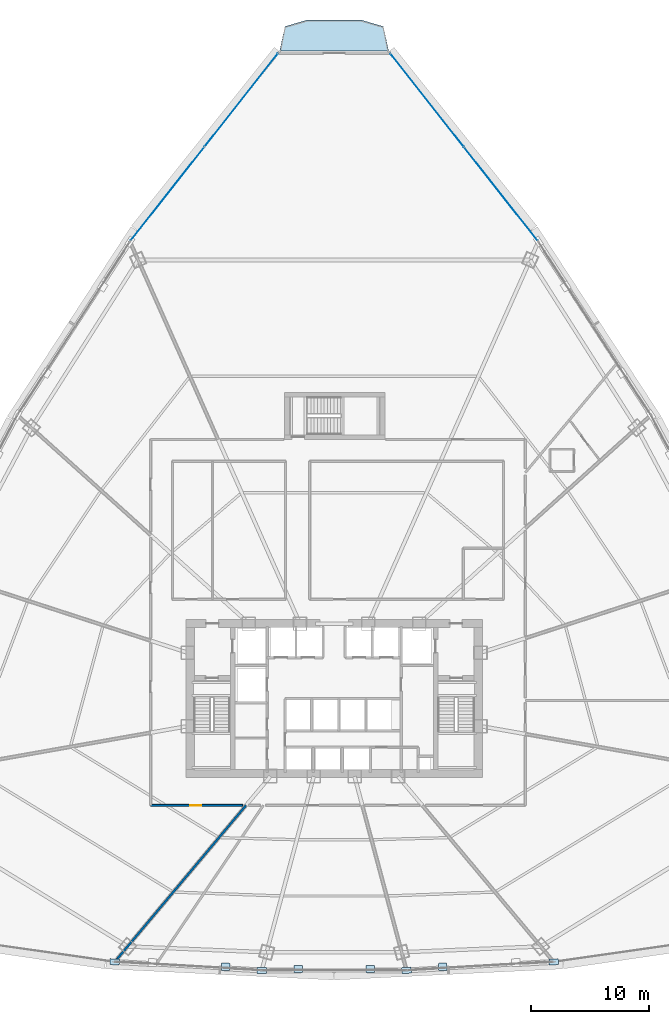
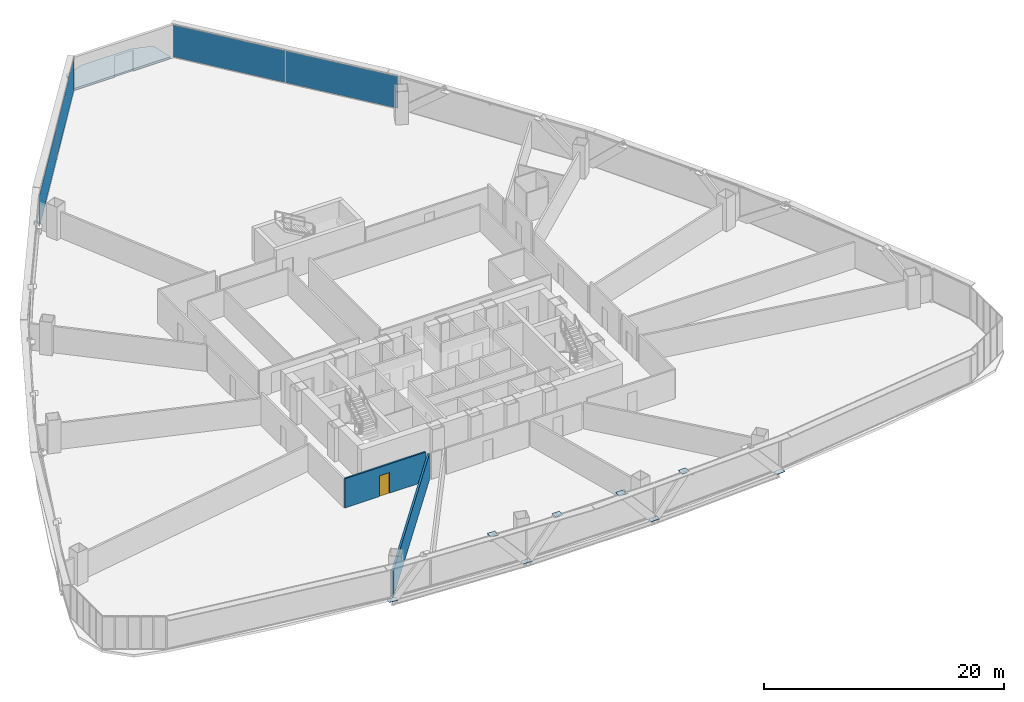
# One storey, part 34 of 42: 12 plates, 2 walls, 1 door, 1 slab, 1 opening, 2 elements without a shape of their own.
"""IFC4 building model written with IfcOpenShell, lengths in metres."""

from ifc_helpers import new_model, si_unit, direction, frame, frame_2d, origin, origin_with_axes, origin_2d, place, context, subcontext, project, spatial, polyline, rectangle, outline, extrude, source, transform, mapped, material, layer, layer_set, type_object, element, fill, aggregate, save


model = new_model("IFC4")

# Units and contexts
model_context = context("Model", 3, precision=1e-05, world=origin(), true_north=direction((0.0, 1.0)))
body_context = subcontext(model_context, "Body", "Model", "MODEL_VIEW")
ifc_project = project(units=[si_unit("LENGTHUNIT", "METRE"), si_unit("AREAUNIT", "SQUARE_METRE"), si_unit("VOLUMEUNIT", "CUBIC_METRE"), si_unit("PLANEANGLEUNIT", "RADIAN"), si_unit("MASSUNIT", "GRAM", prefix="KILO"), si_unit("THERMODYNAMICTEMPERATUREUNIT", "KELVIN"), si_unit("POWERUNIT", "WATT")], contexts=[model_context])

# Site, building, storey
site_placement = place(None, origin())
site = spatial("IfcSite", under=ifc_project, at=site_placement, CompositionType="ELEMENT")
building_placement = place(site_placement, origin())
building = spatial("IfcBuilding", under=site, at=building_placement, Name="Yunzhuo Pagoda Commons", CompositionType="ELEMENT")
storey_placement = place(building_placement, frame((0.0, 0.0, 48.550048828125)))
storey = spatial("IfcBuildingStorey", under=building, at=storey_placement, Name="L12", CompositionType="ELEMENT", Elevation=48.550048828125)

# Slab
ifc_material_1 = material(Name="Concrete C40", Category="concrete")
ifc_layer_1 = layer(ifc_material_1, 0.199951171875)
ifc_layer_set_1 = layer_set([ifc_layer_1], Name="Concrete C40")
slab_type = type_object("IfcSlabType", Name="SL-BAL Vertex Balcony Deck Slab 200", PredefinedType="FLOOR", material=ifc_layer_set_1)
slab_placement = place(storey_placement, frame((0.0, 0.0, -0.199951171875)))
element("IfcSlab", 1, at=slab_placement, inside=storey, type_object=slab_type, Name="L12 corner balcony V3", PredefinedType="FLOOR", context=body_context, shape_type="SweptSolid", body=[
    extrude(outline(polyline([(52.623291015625, 88.70068359375), (43.376708984375, 88.70068359375), (43.82666015625, 90.795654296875), (45.688232421875, 91.345703125), (50.311767578125, 91.345703125), (52.17333984375, 90.795654296875), (52.623291015625, 88.70068359375)])), origin(), (0.0, 0.0, 1.0), 0.199951171875),
])

# Plates
ifc_material_2 = material(Name="Structural steel Q355B", Category="steel")
ifc_layer_2 = layer(ifc_material_2, 0.028076171875)
ifc_layer_set_2 = layer_set([ifc_layer_2], Name="Structural steel Q355B")
plate_type_1 = type_object("IfcPlateType", Name="SP-ND1 Lattice Node Cap Plate 800x500x28", PredefinedType="USERDEFINED", material=ifc_layer_set_2)
shared_shape_1 = source(origin(), body_context, "Body", "SweptSolid", [
    extrude(rectangle(XDim=0.800048828125, YDim=0.5, at=origin_2d()), origin(), (0.0, 0.0, 1.0), 0.028076171875),
])
for number, where, z_axis, x_axis, name in (
    (2, (29.399658203125, 11.532958984375, -0.27392578125), (0.0, 0.0, 1.0), (0.998328730053, -0.057790542049, 0.0), "L12 diamond node plate F1.1A"),
    (3, (41.866943359375, 10.811279296875, -0.27392578125), (0.0, 0.0, 1.0), (1.0, 0.0, 0.0), "L12 diamond node plate F1.2A"),
    (4, (54.133056640625, 10.811279296875, -0.27392578125), (0.0, 0.0, 1.0), (0.998328730053, 0.057790542049, 0.0), "L12 diamond node plate F1.3A"),
    (5, (66.600341796875, 11.532958984375, -0.27392578125), (0.0, 0.0, 1.0), (0.998328730053, 0.057790542049, 0.0), "L12 diamond node plate F1.3B"),
):
    element("IfcPlate", number, at=place(storey_placement, frame(where, z_axis=z_axis, x_axis=x_axis)), inside=storey, type_object=plate_type_1, Name=name, ObjectType="STIFFENER_PLATE", PredefinedType="USERDEFINED", context=body_context, shape_type="MappedRepresentation", body=[
        mapped(shared_shape_1, transform((0.0, 0.0, 0.0), scale=1.0)),
    ])
shared_shape_2 = source(origin(), body_context, "Body", "SweptSolid", [
    extrude(rectangle(XDim=0.699951171875, YDim=0.631591796875, at=origin_2d()), origin(), (0.0, 0.0, 1.0), 0.035888671875),
])
for number, where, z_axis, x_axis, name in (
    (6, (38.80322265625, 11.1220703125, 3.33203125), (0.0, 0.0, 1.0), (0.998328730053, -0.057790542049, 0.0), "L12 setback lattice tie plate F1.1R"),
    (7, (57.19677734375, 11.1220703125, 3.33203125), (0.0, 0.0, 1.0), (0.998328730053, 0.057790542049, 0.0), "L12 setback lattice tie plate F1.3L"),
):
    element("IfcPlate", number, at=place(storey_placement, frame(where, z_axis=z_axis, x_axis=x_axis)), inside=storey, type_object=plate_type_1, Name=name, ObjectType="STIFFENER_PLATE", PredefinedType="USERDEFINED", context=body_context, shape_type="MappedRepresentation", body=[
        mapped(shared_shape_2, transform((0.0, 0.0, 0.0), scale=1.0)),
    ])
shared_shape_3 = source(origin(), body_context, "Body", "SweptSolid", [
    extrude(rectangle(XDim=0.699951171875, YDim=0.615478515625, at=origin_2d()), origin(), (0.0, 0.0, 1.0), 0.035888671875),
])
for number, where, z_axis, x_axis, name in (
    (8, (44.951171875, 10.94287109375, 3.33203125), (0.0, 0.0, 1.0), (1.0, 0.0, 0.0), "L12 setback lattice tie plate F1.2L"),
    (9, (51.048828125, 10.94287109375, 3.33203125), (0.0, 0.0, 1.0), (1.0, 0.0, 0.0), "L12 setback lattice tie plate F1.2R"),
):
    element("IfcPlate", number, at=place(storey_placement, frame(where, z_axis=z_axis, x_axis=x_axis)), inside=storey, type_object=plate_type_1, Name=name, ObjectType="STIFFENER_PLATE", PredefinedType="USERDEFINED", context=body_context, shape_type="MappedRepresentation", body=[
        mapped(shared_shape_3, transform((0.0, 0.0, 0.0), scale=1.0)),
    ])

# Curtain wall, plates
ifc_material_3 = material(Name="Anodized aluminium 6063-T6", Category="aluminium")
ifc_layer_3 = layer(ifc_material_3, 0.1650390625)
ifc_layer_set_3 = layer_set([ifc_layer_3], Name="Anodized aluminium 6063-T6")
curtain_wall_type = type_object("IfcCurtainWallType", Name="CW-LOW Low-Zone Ribbon Curtain Wall", PredefinedType="NOTDEFINED", material=ifc_layer_set_3)
curtain_wall_1_placement = place(storey_placement, origin())
curtain_wall_1 = element("IfcCurtainWall", 10, at=curtain_wall_1_placement, inside=storey, type_object=curtain_wall_type, Name="L12 curtain wall CW-L12-F2B5", PredefinedType="NOTDEFINED")
ifc_material_4 = material(Name="Tempered low-e double glazing", Category="glass")
ifc_layer_4 = layer(ifc_material_4, 0.028076171875)
ifc_layer_set_4 = layer_set([ifc_layer_4], Name="Tempered low-e double glazing")
plate_type_2 = type_object("IfcPlateType", Name="CW-LOW-P Low-E Double Glazing 28", PredefinedType="CURTAIN_PANEL", material=ifc_layer_set_4)
shared_shape_4 = source(origin(), body_context, "Body", "SweptSolid", [
    extrude(rectangle(XDim=10.042724609375, YDim=0.028076171875, at=origin_2d()), origin(), (0.0, 0.0, 1.0), 3.25),
])
plate_1_placement = place(storey_placement, frame((62.11376953125, 76.625, 0.06005859375), z_axis=(0.0, 0.0, 1.0), x_axis=(-0.61837518468, 0.785883026265, 0.0)))
plate_1 = element("IfcPlate", 11, at=plate_1_placement, type_object=plate_type_2, Name="CW panel 1.1", PredefinedType="CURTAIN_PANEL", context=body_context, shape_type="MappedRepresentation", body=[
    mapped(shared_shape_4, transform((0.0, 0.0, 0.0), scale=1.0)),
])
plate_2_placement = place(storey_placement, frame((55.863525390625, 84.568359375, 0.06005859375), z_axis=(0.0, 0.0, 1.0), x_axis=(-0.61837518468, 0.785883026265, 0.0)))
plate_2 = element("IfcPlate", 12, at=plate_2_placement, type_object=plate_type_2, Name="CW panel 2.1", PredefinedType="CURTAIN_PANEL", context=body_context, shape_type="MappedRepresentation", body=[
    mapped(shared_shape_4, transform((0.0, 0.0, 0.0), scale=1.0)),
])
aggregate(curtain_wall_1, [plate_1, plate_2])

curtain_wall_2_placement = place(storey_placement, origin())
curtain_wall_2 = element("IfcCurtainWall", 13, at=curtain_wall_2_placement, inside=storey, type_object=curtain_wall_type, Name="L12 curtain wall CW-L12-F3B1", PredefinedType="NOTDEFINED")
plate_3_placement = place(storey_placement, frame((40.136474609375, 84.568359375, 0.06005859375), z_axis=(0.0, 0.0, 1.0), x_axis=(-0.61837518468, -0.785883026265, 0.0)))
plate_3 = element("IfcPlate", 14, at=plate_3_placement, type_object=plate_type_2, Name="CW panel 1.1", PredefinedType="CURTAIN_PANEL", context=body_context, shape_type="MappedRepresentation", body=[
    mapped(shared_shape_4, transform((0.0, 0.0, 0.0), scale=1.0)),
])
plate_4_placement = place(storey_placement, frame((33.88623046875, 76.625, 0.06005859375), z_axis=(0.0, 0.0, 1.0), x_axis=(-0.61837518468, -0.785883026265, 0.0)))
plate_4 = element("IfcPlate", 15, at=plate_4_placement, type_object=plate_type_2, Name="CW panel 2.1", PredefinedType="CURTAIN_PANEL", context=body_context, shape_type="MappedRepresentation", body=[
    mapped(shared_shape_4, transform((0.0, 0.0, 0.0), scale=1.0)),
])
aggregate(curtain_wall_2, [plate_3, plate_4])

# Wall, opening, door
ifc_material_5 = material(Name="Gypsum plasterboard on acoustic stud")
ifc_layer_5 = layer(ifc_material_5, 0.159912109375)
ifc_layer_set_5 = layer_set([ifc_layer_5], Name="Gypsum plasterboard on acoustic stud")
wall_type_1 = type_object("IfcWallType", Name="W-COR1 Tower Rated Corridor Wall 160", PredefinedType="PARTITIONING", material=ifc_layer_set_5)
wall_1_placement = place(storey_placement, frame((40.244873046875, 24.800048828125, 0.0), z_axis=(0.0, 0.0, 1.0), x_axis=(-1.0, 0.0, 0.0)))
wall_1 = element("IfcWall", 16, at=wall_1_placement, inside=storey, type_object=wall_type_1, Name="L12 interior wall IW-L12-CWL18", PredefinedType="PARTITIONING", context=body_context, shape_type="SweptSolid", body=[
    extrude(rectangle(XDim=7.794921875, YDim=0.159912109375, at=frame_2d((3.8974609375, 0.0))), origin(), (0.0, 0.0, 1.0), 2.969970703125),
])
opening_placement = place(wall_1_placement, frame((3.5087890625, 0.0, 0.0)))
opening = element("IfcOpeningElement", 17, at=opening_placement, cuts=wall_1, Name="Opening D-06", PredefinedType="OPENING", context=body_context, shape_type="SweptSolid", body=[
    extrude(rectangle(XDim=0.949951171875, YDim=2.10009765625, at=frame_2d((0.47509765625, 1.050048828125))), frame((0.0, 0.08984375, 0.0), z_axis=(0.0, -1.0, 0.0), x_axis=(1.0, 0.0, 0.0)), (0.0, 0.0, 1.0), 0.179931640625),
])
ifc_material_6 = material(Name="Galvanized fire-resisting metal leaf")
door_type = type_object("IfcDoorType", Name="D-06 Co-Living Suite Entrance Fire Door 950x2100", OperationType="NOTDEFINED", PredefinedType="DOOR", material=ifc_material_6)
shared_shape_5 = source(origin(), body_context, "Body", "SweptSolid", [
    extrude(rectangle(XDim=0.949951171875, YDim=2.10009765625, at=frame_2d((0.47509765625, 1.050048828125))), frame((0.0, 0.02490234375, 0.0), z_axis=(0.0, -1.0, 0.0), x_axis=(1.0, 0.0, 0.0)), (0.0, 0.0, 1.0), 0.050048828125),
])
door_placement = place(opening_placement, origin_with_axes())
door = element("IfcDoor", 18, at=door_placement, inside=storey, type_object=door_type, Name="L12 unit 08 entrance door", OperationType="SINGLE_SWING_LEFT", OverallHeight=2.10009765625, OverallWidth=0.949951171875, PredefinedType="DOOR", context=body_context, shape_type="MappedRepresentation", body=[
    mapped(shared_shape_5, transform((0.0, 0.0, 0.0), scale=1.0)),
])
fill(opening, door)

# Wall
ifc_layer_6 = layer(ifc_material_5, 0.179931640625)
ifc_layer_set_6 = layer_set([ifc_layer_6], Name="Gypsum plasterboard on acoustic stud")
wall_type_2 = type_object("IfcWallType", Name="W-PRT2 Acoustic Unit Demising Wall 180", PredefinedType="PARTITIONING", material=ifc_layer_set_6)
wall_2_placement = place(storey_placement, frame((40.531982421875, 24.800048828125, 0.0), z_axis=(0.0, 0.0, 1.0), x_axis=(-0.642784696521, -0.766046887546, 0.0)))
element("IfcWall", 19, at=wall_2_placement, inside=storey, type_object=wall_type_2, Name="L12 interior wall IW-L12-RAD09", PredefinedType="PARTITIONING", context=body_context, shape_type="SweptSolid", body=[
    extrude(rectangle(XDim=17.31884765625, YDim=0.179931640625, at=frame_2d((8.659423828125, 0.0))), origin(), (0.0, 0.0, 1.0), 2.669921875),
])

save(model, "model.ifc")
